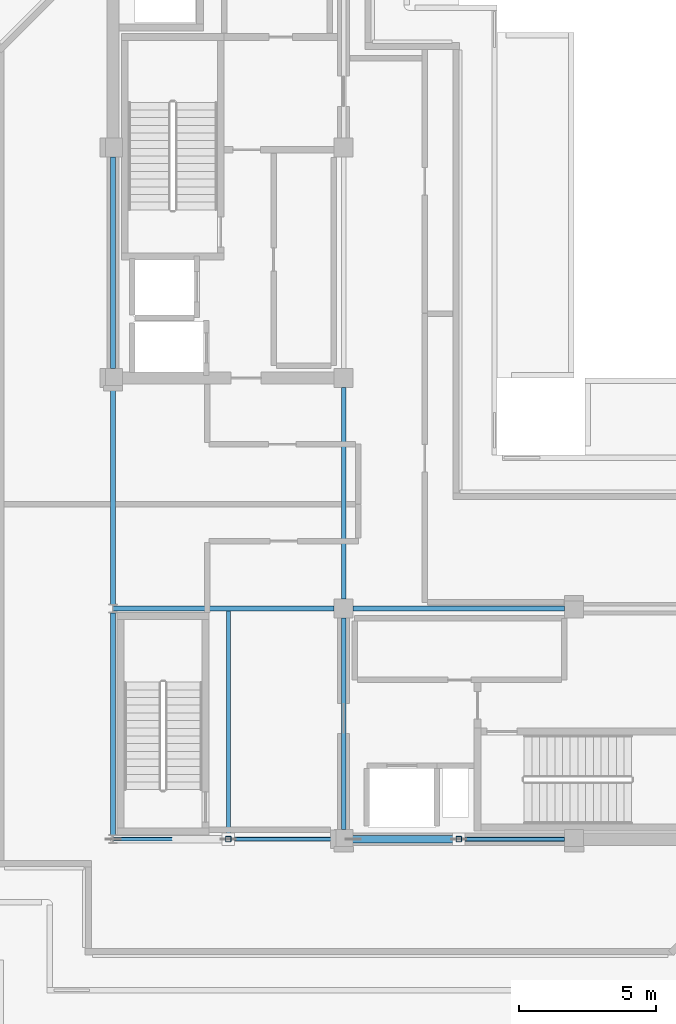
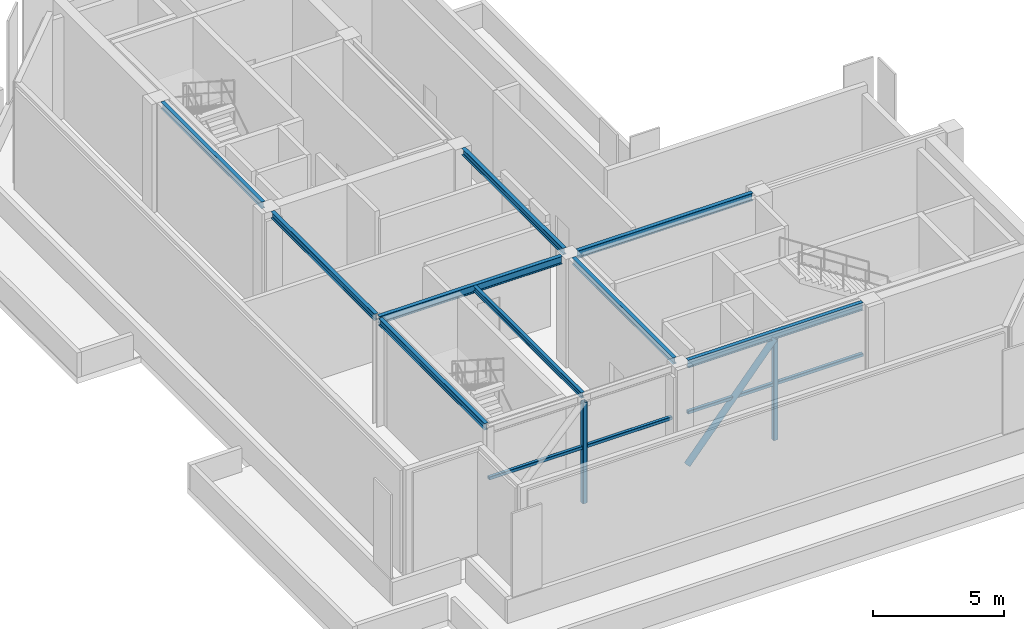
# One storey, part 2 of 9: 9 beams, 5 members.
"""IFC4 building model written with IfcOpenShell, lengths in metres."""

from ifc_helpers import new_model, si_unit, direction, frame, origin, origin_2d, place, context, subcontext, project, spatial, hollow_rectangle, hollow_circle, i_section, extrude, material, material_profile, profile_set, type_object, element, save


model = new_model("IFC4")

# Units and contexts
model_context = context("Model", 3, precision=1e-05, world=origin(), true_north=direction((0.0, 1.0)))
body_context = subcontext(model_context, "Body", "Model", "MODEL_VIEW")
ifc_project = project(units=[si_unit("LENGTHUNIT", "METRE"), si_unit("AREAUNIT", "SQUARE_METRE"), si_unit("VOLUMEUNIT", "CUBIC_METRE"), si_unit("PLANEANGLEUNIT", "RADIAN"), si_unit("MASSUNIT", "GRAM", prefix="KILO")], contexts=[model_context])

# Site, building, storey
site_placement = place(None, origin())
site = spatial("IfcSite", under=ifc_project, at=site_placement, CompositionType="ELEMENT")
building_placement = place(site_placement, origin())
building = spatial("IfcBuilding", under=site, at=building_placement, Name="Nerrivon Quay Data Exchange", CompositionType="ELEMENT")
storey_placement = place(building_placement, frame((0.0, 0.0, 333.0)))
storey = spatial("IfcBuildingStorey", under=building, at=storey_placement, Name="L79", CompositionType="ELEMENT", Elevation=333.0)

# Beams
ifc_material_1 = material(Name="Steel Grade 350", Category="steel")
ifc_material_profile_1 = material_profile(ifc_material_1, i_section(OverallWidth=0.172119140625, OverallDepth=0.35888671875, WebThickness=0.008056640625, FlangeThickness=0.012939453125, FilletRadius=0.011474609375, at=origin_2d()), Name="360UB56.7")
ifc_profile_set_1 = profile_set([ifc_material_profile_1], Name="Steel Grade 350")
beam_type_1 = type_object("IfcBeamType", Name="BM-J3-360UB57", PredefinedType="JOIST", material=ifc_profile_set_1)
beam_1_placement = place(storey_placement, frame((17.14990234375, 8.39990234375, 4.87060546875), z_axis=(1.0, 0.0, 0.0), x_axis=(0.0, 1.0, 0.0)))
element("IfcBeam", 1, at=beam_1_placement, inside=storey, type_object=beam_type_1, Name="L79 EW Girder Y=8.4 (16.8..25.2)", PredefinedType="JOIST", context=body_context, shape_type="SweptSolid", body=[
    extrude(i_section(OverallWidth=0.172119140625, OverallDepth=0.35888671875, WebThickness=0.008056640625, FlangeThickness=0.012939453125, FilletRadius=0.011474609375, at=origin_2d()), origin(), (0.0, 0.0, 1.0), 7.7001953125),
])
beam_2_placement = place(storey_placement, frame((8.406005859375, 16.800048828125, 4.87060546875), z_axis=(1.0, 0.0, 0.0), x_axis=(0.0, 1.0, 0.0)))
element("IfcBeam", 2, at=beam_2_placement, inside=storey, type_object=beam_type_1, Name="L79 EW Girder Y=16.8 (8.4..16.8)", PredefinedType="JOIST", context=body_context, shape_type="SweptSolid", body=[
    extrude(i_section(OverallWidth=0.172119140625, OverallDepth=0.35888671875, WebThickness=0.008056640625, FlangeThickness=0.012939453125, FilletRadius=0.011474609375, at=origin_2d()), origin(), (0.0, 0.0, 1.0), 8.0439453125),
])
beam_3_placement = place(storey_placement, frame((17.14990234375, 16.800048828125, 4.87060546875), z_axis=(1.0, 0.0, 0.0), x_axis=(0.0, 1.0, 0.0)))
element("IfcBeam", 3, at=beam_3_placement, inside=storey, type_object=beam_type_1, Name="L79 EW Girder Y=16.8 (16.8..25.2)", PredefinedType="JOIST", context=body_context, shape_type="SweptSolid", body=[
    extrude(i_section(OverallWidth=0.172119140625, OverallDepth=0.35888671875, WebThickness=0.008056640625, FlangeThickness=0.012939453125, FilletRadius=0.011474609375, at=origin_2d()), origin(), (0.0, 0.0, 1.0), 7.7001953125),
])
ifc_material_profile_2 = material_profile(ifc_material_1, i_section(OverallWidth=0.166015625, OverallDepth=0.306884765625, WebThickness=0.006591796875, FlangeThickness=0.01171875, FilletRadius=0.011474609375, at=origin_2d()), Name="310UB46.2")
ifc_profile_set_2 = profile_set([ifc_material_profile_2], Name="Steel Grade 350")
beam_type_2 = type_object("IfcBeamType", Name="BM-J5-310UB46", PredefinedType="JOIST", material=ifc_profile_set_2)
beam_4_placement = place(storey_placement, frame((8.39990234375, 8.5576171875, 4.896484375), z_axis=(0.0, 1.0, 0.0), x_axis=(-1.0, 0.0, 0.0)))
element("IfcBeam", 4, at=beam_4_placement, inside=storey, type_object=beam_type_2, Name="L79 NS Girder X=8.4 (8.4..16.8)", PredefinedType="JOIST", context=body_context, shape_type="SweptSolid", body=[
    extrude(i_section(OverallWidth=0.166015625, OverallDepth=0.306884765625, WebThickness=0.006591796875, FlangeThickness=0.01171875, FilletRadius=0.011474609375, at=origin_2d()), origin(), (0.0, 0.0, 1.0), 8.0849609375),
])
beam_5_placement = place(storey_placement, frame((8.39990234375, 16.95751953125, 4.896484375), z_axis=(0.0, 1.0, 0.0), x_axis=(-1.0, 0.0, 0.0)))
element("IfcBeam", 5, at=beam_5_placement, inside=storey, type_object=beam_type_2, Name="L79 NS Girder X=8.4 (16.8..25.2)", PredefinedType="JOIST", context=body_context, shape_type="SweptSolid", body=[
    extrude(i_section(OverallWidth=0.166015625, OverallDepth=0.306884765625, WebThickness=0.006591796875, FlangeThickness=0.01171875, FilletRadius=0.011474609375, at=origin_2d()), origin(), (0.0, 0.0, 1.0), 7.892578125),
])
for number, where, z_axis, x_axis, name in (
    (6, (8.39990234375, 25.550048828125, 4.896484375), (0.0, 1.0, 0.0), (-1.0, 0.0, 0.0), "L79 NS Girder X=8.4 (25.2..33.6)"),
    (7, (16.800048828125, 8.75, 4.896484375), (0.0, 1.0, 0.0), (-1.0, 0.0, 0.0), "L79 NS Girder X=16.8 (8.4..16.8)"),
):
    element("IfcBeam", number, at=place(storey_placement, frame(where, z_axis=z_axis, x_axis=x_axis)), inside=storey, type_object=beam_type_2, Name=name, PredefinedType="JOIST", context=body_context, shape_type="SweptSolid", body=[
        extrude(i_section(OverallWidth=0.166015625, OverallDepth=0.306884765625, WebThickness=0.006591796875, FlangeThickness=0.01171875, FilletRadius=0.011474609375, at=origin_2d()), origin(), (0.0, 0.0, 1.0), 7.699951171875),
    ])
beam_6_placement = place(storey_placement, frame((16.800048828125, 17.14990234375, 4.896484375), z_axis=(0.0, 1.0, 0.0), x_axis=(-1.0, 0.0, 0.0)))
element("IfcBeam", 8, at=beam_6_placement, inside=storey, type_object=beam_type_2, Name="L79 NS Girder X=16.8 (16.8..25.2)", PredefinedType="JOIST", context=body_context, shape_type="SweptSolid", body=[
    extrude(i_section(OverallWidth=0.166015625, OverallDepth=0.306884765625, WebThickness=0.006591796875, FlangeThickness=0.01171875, FilletRadius=0.011474609375, at=origin_2d()), origin(), (0.0, 0.0, 1.0), 7.7001953125),
])
ifc_material_profile_3 = material_profile(ifc_material_1, i_section(OverallWidth=0.14599609375, OverallDepth=0.256103515625, WebThickness=0.00634765625, FlangeThickness=0.010986328125, FilletRadius=0.0087890625, at=origin_2d()), Name="250UB37.3")
ifc_profile_set_3 = profile_set([ifc_material_profile_3], Name="Steel Grade 350")
beam_type_3 = type_object("IfcBeamType", Name="BM-J7-250UB37", PredefinedType="JOIST", material=ifc_profile_set_3)
beam_7_placement = place(storey_placement, frame((12.60009765625, 8.486083984375, 4.922119140625), z_axis=(0.0, 1.0, 0.0), x_axis=(-1.0, 0.0, 0.0)))
element("IfcBeam", 9, at=beam_7_placement, inside=storey, type_object=beam_type_3, Name="L79 Secondary Joist X=12.6 (8.4..16.8)", PredefinedType="JOIST", context=body_context, shape_type="SweptSolid", body=[
    extrude(i_section(OverallWidth=0.14599609375, OverallDepth=0.256103515625, WebThickness=0.00634765625, FlangeThickness=0.010986328125, FilletRadius=0.0087890625, at=origin_2d()), origin(), (0.0, 0.0, 1.0), 8.22802734375),
])

# Members
ifc_material_2 = material(Name="Steel Grade C350L0 (350 MPa)", Category="steel")
ifc_material_profile_4 = material_profile(ifc_material_2, hollow_rectangle(XDim=0.14990234375, YDim=0.14990234375, WallThickness=0.009033203125, InnerFilletRadius=0.013427734375, OuterFilletRadius=0.0224609375, at=origin_2d()), Name="150x150x9.0SHS")
ifc_profile_set_4 = profile_set([ifc_material_profile_4], Name="Steel Grade C350L0 (350 MPa)")
member_type_1 = type_object("IfcMemberType", Name="MEM-SR1-150SHS", PredefinedType="STRINGER", material=ifc_profile_set_4)
member_1_placement = place(storey_placement, frame((8.406005859375, 8.39990234375, 2.60009765625), z_axis=(1.0, 0.0, 0.0), x_axis=(0.0, 1.0, 0.0)))
element("IfcMember", 10, at=member_1_placement, inside=storey, type_object=member_type_1, Name="L79 Turbine Shroud Stringer 1", PredefinedType="STRINGER", context=body_context, shape_type="SweptSolid", body=[
    extrude(hollow_rectangle(XDim=0.14990234375, YDim=0.14990234375, WallThickness=0.009033203125, InnerFilletRadius=0.013427734375, OuterFilletRadius=0.0224609375, at=origin_2d()), origin(), (0.0, 0.0, 1.0), 8.0439453125),
])
member_2_placement = place(storey_placement, frame((17.14990234375, 8.39990234375, 2.60009765625), z_axis=(1.0, 0.0, 0.0), x_axis=(0.0, 1.0, 0.0)))
element("IfcMember", 11, at=member_2_placement, inside=storey, type_object=member_type_1, Name="L79 Turbine Shroud Stringer 2", PredefinedType="STRINGER", context=body_context, shape_type="SweptSolid", body=[
    extrude(hollow_rectangle(XDim=0.14990234375, YDim=0.14990234375, WallThickness=0.009033203125, InnerFilletRadius=0.013427734375, OuterFilletRadius=0.0224609375, at=origin_2d()), origin(), (0.0, 0.0, 1.0), 7.7001953125),
])
ifc_material_profile_5 = material_profile(ifc_material_2, hollow_circle(Radius=0.136474609375, WallThickness=0.0126953125, at=origin_2d()), Name="273.1x12.7CHS")
ifc_profile_set_5 = profile_set([ifc_material_profile_5], Name="Steel Grade C350L0 (350 MPa)")
member_type_2 = type_object("IfcMemberType", Name="MEM-ST1-273CHS", PredefinedType="STRUT", material=ifc_profile_set_5)
member_3_placement = place(storey_placement, frame((17.14990234375, 8.39990234375, 0.159912109375), z_axis=(0.646695624775, 0.0, 0.762748168727), x_axis=(0.0, 1.0, 0.0)))
element("IfcMember", 12, at=member_3_placement, inside=storey, type_object=member_type_2, Name="L79 structural brace TS-L79-02", PredefinedType="STRUT", context=body_context, shape_type="SweptSolid", body=[
    extrude(hollow_circle(Radius=0.136474609375, WallThickness=0.0126953125, at=origin_2d()), origin(), (0.0, 0.0, 1.0), 5.95361328125),
])
ifc_material_profile_6 = material_profile(ifc_material_2, hollow_rectangle(XDim=0.199951171875, YDim=0.199951171875, WallThickness=0.010009765625, InnerFilletRadius=0.014892578125, OuterFilletRadius=0.02490234375, at=origin_2d()), Name="200x200x10.0SHS")
ifc_profile_set_6 = profile_set([ifc_material_profile_6], Name="Steel Grade C350L0 (350 MPa)")
member_type_3 = type_object("IfcMemberType", Name="MEM-ST2-200SHS", PredefinedType="STRUT", material=ifc_profile_set_6)
for number, where, z_axis, x_axis, name in (
    (13, (12.60009765625, 8.39990234375, 0.0), (0.0, 0.0, 1.0), (1.0, 0.0, 0.0), "L79 Turbine Slot Shroud Post 1"),
    (14, (21.0, 8.39990234375, 0.0), (0.0, 0.0, 1.0), (1.0, 0.0, 0.0), "L79 Turbine Slot Shroud Post 2"),
):
    element("IfcMember", number, at=place(storey_placement, frame(where, z_axis=z_axis, x_axis=x_axis)), inside=storey, type_object=member_type_3, Name=name, PredefinedType="STRUT", context=body_context, shape_type="SweptSolid", body=[
        extrude(hollow_rectangle(XDim=0.199951171875, YDim=0.199951171875, WallThickness=0.010009765625, InnerFilletRadius=0.014892578125, OuterFilletRadius=0.02490234375, at=origin_2d()), origin(), (0.0, 0.0, 1.0), 4.700927734375),
    ])

save(model, "model.ifc")
